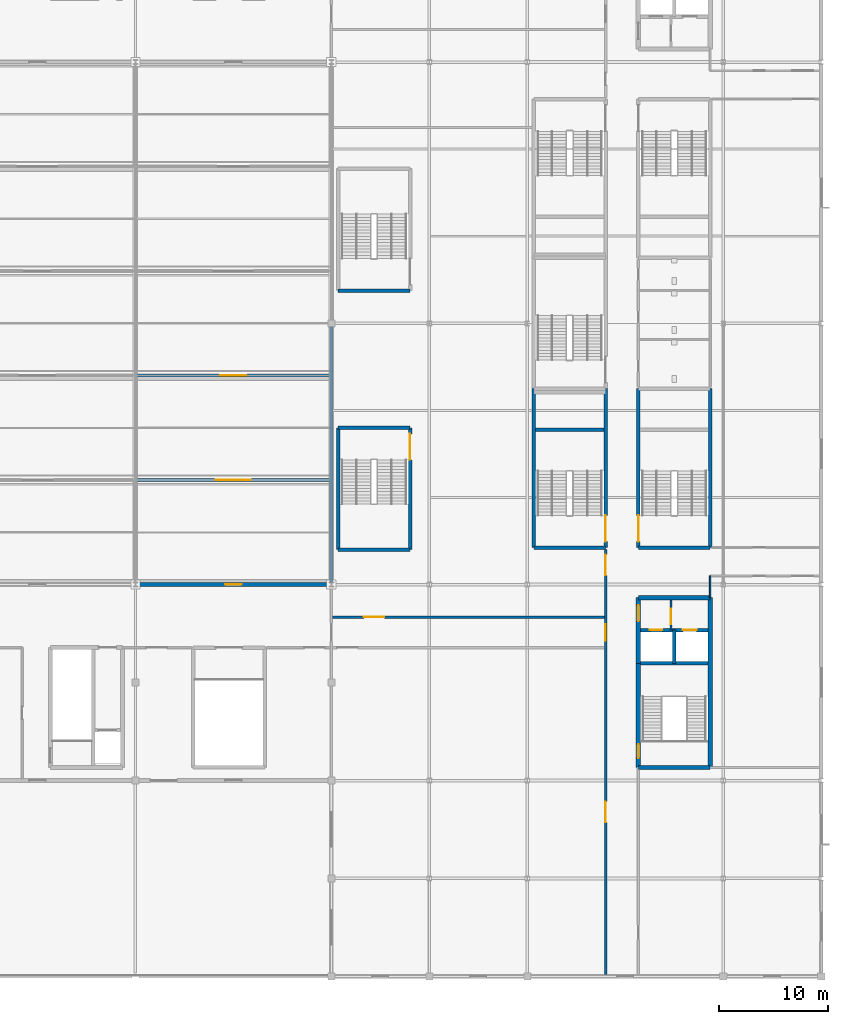
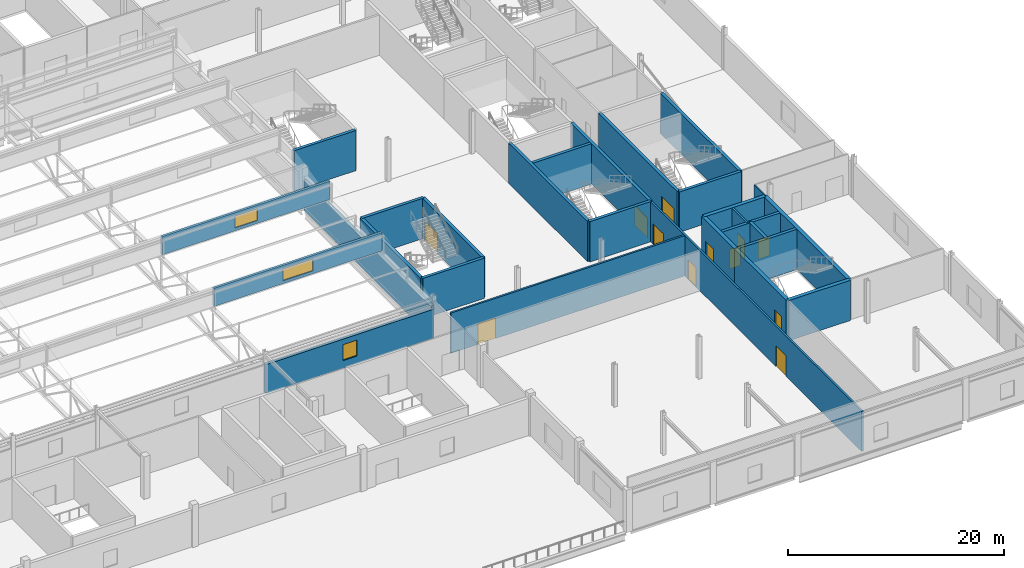
# One storey, part 104 of 136: 29 walls, 12 doors, 3 windows, 15 openings.
"""IFC4 building model written with IfcOpenShell, lengths in metres."""

from ifc_helpers import new_model, si_unit, direction, frame, frame_2d, origin, place, context, subcontext, project, spatial, rectangle, extrude, material, layer, layer_set, type_object, element, fill, save


model = new_model("IFC4")

# Units and contexts
model_context = context("Model", 3, precision=1e-05, world=origin(), true_north=direction((0.0, 1.0)))
body_context = subcontext(model_context, "Body", "Model", "MODEL_VIEW")
ifc_project = project(units=[si_unit("LENGTHUNIT", "METRE"), si_unit("AREAUNIT", "SQUARE_METRE"), si_unit("VOLUMEUNIT", "CUBIC_METRE"), si_unit("PLANEANGLEUNIT", "RADIAN"), si_unit("MASSUNIT", "GRAM", prefix="KILO")], contexts=[model_context])

# Site, building, storey
site_placement = place(None, origin())
site = spatial("IfcSite", under=ifc_project, at=site_placement, CompositionType="ELEMENT")
building_placement = place(site_placement, origin())
building = spatial("IfcBuilding", under=site, at=building_placement, Name="Kisiwana Market Hall", CompositionType="ELEMENT")
storey_placement = place(building_placement, frame((0.0, 0.0, 16.800048828125)))
storey = spatial("IfcBuildingStorey", under=building, at=storey_placement, Name="L03", CompositionType="ELEMENT", Elevation=16.800048828125)

# Wall, opening, door
ifc_material_1 = material(Name="Masonry blockwork", Category="masonry")
ifc_layer_1 = layer(ifc_material_1, 0.199951171875, Name="Plastered fire compartment block wall")
ifc_layer_set_1 = layer_set([ifc_layer_1], Name="WL-COMP-200")
wall_type_1 = type_object("IfcWallType", Name="WL-COMP-200", PredefinedType="PARTITIONING", material=ifc_layer_set_1)
wall_1_placement = place(storey_placement, frame((184.199951171875, 31.820068359375, 0.0), z_axis=(0.0, 0.0, 1.0), x_axis=(0.0, 1.0, 0.0)))
wall_1 = element("IfcWall", 1, at=wall_1_placement, inside=storey, type_object=wall_type_1, Name="Core E2 firefighting lobby wall W-1440", PredefinedType="PARTITIONING", context=body_context, shape_type="SweptSolid", body=[
    extrude(rectangle(XDim=2.780029296875, YDim=0.199951171875, at=frame_2d((1.39013671875, 0.0))), origin(), (0.0, 0.0, 1.0), 4.554931640625),
])
opening_1_placement = place(wall_1_placement, frame((0.550048828125, 0.0, 0.0)))
opening_1 = element("IfcOpeningElement", 2, at=opening_1_placement, cuts=wall_1, Name="Opening DR-L03-009", PredefinedType="OPENING", context=body_context, shape_type="SweptSolid", body=[
    extrude(rectangle(XDim=1.39990234375, YDim=2.25, at=frame_2d((0.699951171875, 1.125))), frame((0.0, 0.11181640625, 0.0), z_axis=(0.0, -1.0, 0.0), x_axis=(1.0, 0.0, 0.0)), (0.0, 0.0, 1.0), 0.223876953125),
])
ifc_material_2 = material(Name="Steel S275", Category="steel")
door_type_1 = type_object("IfcDoorType", Name="DR-FFLOB-FD120-1400", OperationType="DOUBLE_DOOR_SINGLE_SWING", PredefinedType="DOOR", material=ifc_material_2)
door_1_placement = place(opening_1_placement, origin())
door_1 = element("IfcDoor", 3, at=door_1_placement, inside=storey, type_object=door_type_1, Name="Firefighting Lift Lobby E2 Door (L03)", OperationType="DOUBLE_DOOR_SINGLE_SWING", OverallHeight=2.25, OverallWidth=1.39990234375, PredefinedType="DOOR", context=body_context, shape_type="SweptSolid", body=[
    extrude(rectangle(XDim=1.39990234375, YDim=2.25, at=frame_2d((0.699951171875, 1.125))), frame((0.0, 0.02490234375, 0.0), z_axis=(0.0, -1.0, 0.0), x_axis=(1.0, 0.0, 0.0)), (0.0, 0.0, 1.0), 0.050048828125),
])
fill(opening_1, door_1)

wall_2_placement = place(storey_placement, frame((153.0849609375, 33.0, 0.0), z_axis=(0.0, 0.0, 1.0), x_axis=(1.0, 0.0, 0.0)))
wall_2 = element("IfcWall", 4, at=wall_2_placement, inside=storey, type_object=wall_type_1, Name="Interior partition W-1482", PredefinedType="PARTITIONING", context=body_context, shape_type="SweptSolid", body=[
    extrude(rectangle(XDim=25.01513671875, YDim=0.199951171875, at=frame_2d((12.507568359375, 0.0))), origin(), (0.0, 0.0, 1.0), 4.554931640625),
])
opening_2_placement = place(wall_2_placement, frame((2.89501953125, 0.0, 0.0)))
opening_2 = element("IfcOpeningElement", 5, at=opening_2_placement, cuts=wall_2, Name="Opening DR-L03-076", PredefinedType="OPENING", context=body_context, shape_type="SweptSolid", body=[
    extrude(rectangle(XDim=1.89990234375, YDim=2.35009765625, at=frame_2d((0.949951171875, 1.175048828125))), frame((0.0, 0.11181640625, 0.0), z_axis=(0.0, -1.0, 0.0), x_axis=(1.0, 0.0, 0.0)), (0.0, 0.0, 1.0), 0.223876953125),
])
ifc_material_3 = material(Name="Steel S275", Category="steel")
door_type_2 = type_object("IfcDoorType", Name="DR-HALL-1900", OperationType="DOUBLE_DOOR_SINGLE_SWING", PredefinedType="DOOR", material=ifc_material_3)
door_2_placement = place(opening_2_placement, origin())
door_2 = element("IfcDoor", 6, at=door_2_placement, inside=storey, type_object=door_type_2, Name="L03 E Civic Exhibition Hall Exit Door", OperationType="DOUBLE_DOOR_SINGLE_SWING", OverallHeight=2.35009765625, OverallWidth=1.89990234375, PredefinedType="DOOR", context=body_context, shape_type="SweptSolid", body=[
    extrude(rectangle(XDim=1.89990234375, YDim=2.35009765625, at=frame_2d((0.949951171875, 1.175048828125))), frame((0.0, 0.02490234375, 0.0), z_axis=(0.0, -1.0, 0.0), x_axis=(1.0, 0.0, 0.0)), (0.0, 0.0, 1.0), 0.050048828125),
])
fill(opening_2, door_2)

# Wall, openings, doors
wall_3_placement = place(storey_placement, frame((178.199951171875, 0.169921875, 0.0), z_axis=(0.0, 0.0, 1.0), x_axis=(0.0, 1.0, 0.0)))
wall_3 = element("IfcWall", 7, at=wall_3_placement, inside=storey, type_object=wall_type_1, Name="Interior partition W-1486", PredefinedType="PARTITIONING", context=body_context, shape_type="SweptSolid", body=[
    extrude(rectangle(XDim=39.070068359375, YDim=0.199951171875, at=frame_2d((19.53515625, 0.0))), origin(), (0.0, 0.0, 1.0), 4.554931640625),
])
opening_3_placement = place(wall_3_placement, frame((13.97998046875, 0.0, 0.0)))
opening_3 = element("IfcOpeningElement", 8, at=opening_3_placement, cuts=wall_3, Name="Opening DR-L03-077", PredefinedType="OPENING", context=body_context, shape_type="SweptSolid", body=[
    extrude(rectangle(XDim=1.89990234375, YDim=2.35009765625, at=frame_2d((0.949951171875, 1.175048828125))), frame((0.0, 0.11181640625, 0.0), z_axis=(0.0, -1.0, 0.0), x_axis=(1.0, 0.0, 0.0)), (0.0, 0.0, 1.0), 0.223876953125),
])
opening_4_placement = place(wall_3_placement, frame((30.679931640625, 0.0, 0.0)))
opening_4 = element("IfcOpeningElement", 9, at=opening_4_placement, cuts=wall_3, Name="Opening DR-L03-078", PredefinedType="OPENING", context=body_context, shape_type="SweptSolid", body=[
    extrude(rectangle(XDim=1.5, YDim=2.199951171875, at=frame_2d((0.75, 1.10009765625))), frame((0.0, 0.11181640625, 0.0), z_axis=(0.0, -1.0, 0.0), x_axis=(1.0, 0.0, 0.0)), (0.0, 0.0, 1.0), 0.223876953125),
])
opening_5_placement = place(wall_3_placement, frame((36.679931640625, 0.0, 0.0)))
opening_5 = element("IfcOpeningElement", 10, at=opening_5_placement, cuts=wall_3, Name="Opening DR-L03-079", PredefinedType="OPENING", context=body_context, shape_type="SweptSolid", body=[
    extrude(rectangle(XDim=1.89990234375, YDim=2.35009765625, at=frame_2d((0.949951171875, 1.175048828125))), frame((0.0, 0.11181640625, 0.0), z_axis=(0.0, -1.0, 0.0), x_axis=(1.0, 0.0, 0.0)), (0.0, 0.0, 1.0), 0.223876953125),
])
ifc_material_4 = material(Name="Steel S275", Category="steel")
door_type_3 = type_object("IfcDoorType", Name="DR-CORR-FD60-1500", OperationType="DOUBLE_DOOR_SINGLE_SWING", PredefinedType="DOOR", material=ifc_material_4)
door_3_placement = place(opening_4_placement, origin())
door_3 = element("IfcDoor", 11, at=door_3_placement, inside=storey, type_object=door_type_3, Name="L03 E South Podium Link Corridor Door", OperationType="DOUBLE_DOOR_SINGLE_SWING", OverallHeight=2.199951171875, OverallWidth=1.5, PredefinedType="DOOR", context=body_context, shape_type="SweptSolid", body=[
    extrude(rectangle(XDim=1.5, YDim=2.199951171875, at=frame_2d((0.75, 1.10009765625))), frame((0.0, 0.02490234375, 0.0), z_axis=(0.0, -1.0, 0.0), x_axis=(1.0, 0.0, 0.0)), (0.0, 0.0, 1.0), 0.050048828125),
])
fill(opening_4, door_3)
door_4_placement = place(opening_3_placement, origin())
door_4 = element("IfcDoor", 12, at=door_4_placement, inside=storey, type_object=door_type_2, Name="L03 E Exhibition Reception Gallery Door", OperationType="DOUBLE_DOOR_SINGLE_SWING", OverallHeight=2.35009765625, OverallWidth=1.89990234375, PredefinedType="DOOR", context=body_context, shape_type="SweptSolid", body=[
    extrude(rectangle(XDim=1.89990234375, YDim=2.35009765625, at=frame_2d((0.949951171875, 1.175048828125))), frame((0.0, 0.02490234375, 0.0), z_axis=(0.0, -1.0, 0.0), x_axis=(1.0, 0.0, 0.0)), (0.0, 0.0, 1.0), 0.050048828125),
])
fill(opening_3, door_4)
door_5_placement = place(opening_5_placement, origin())
door_5 = element("IfcDoor", 13, at=door_5_placement, inside=storey, type_object=door_type_2, Name="L03 E Civic Exhibition Hall Exit Door", OperationType="DOUBLE_DOOR_SINGLE_SWING", OverallHeight=2.35009765625, OverallWidth=1.89990234375, PredefinedType="DOOR", context=body_context, shape_type="SweptSolid", body=[
    extrude(rectangle(XDim=1.89990234375, YDim=2.35009765625, at=frame_2d((0.949951171875, 1.175048828125))), frame((0.0, 0.02490234375, 0.0), z_axis=(0.0, -1.0, 0.0), x_axis=(1.0, 0.0, 0.0)), (0.0, 0.0, 1.0), 0.050048828125),
])
fill(opening_5, door_5)

# Walls
ifc_material_5 = material(Name="Concrete C40/50", Category="concrete")
ifc_layer_2 = layer(ifc_material_5, 0.320068359375, Name="Reinforced concrete shaft wall")
ifc_layer_set_2 = layer_set([ifc_layer_2], Name="WL-CORE-320")
wall_type_2 = type_object("IfcWallType", Name="WL-CORE-320", PredefinedType="SHEAR", material=ifc_layer_set_2)
wall_4_placement = place(storey_placement, frame((181.39990234375, 28.760009765625, 0.0), z_axis=(0.0, 0.0, 1.0), x_axis=(1.0, 0.0, 0.0)))
element("IfcWall", 14, at=wall_4_placement, inside=storey, type_object=wall_type_2, Name="Core E2 shaft back shear wall W-1207", PredefinedType="SHEAR", context=body_context, shape_type="SweptSolid", body=[
    extrude(rectangle(XDim=6.2001953125, YDim=0.320068359375, at=frame_2d((3.10009765625, 0.0))), origin(), (0.0, 0.0, 1.0), 4.554931640625),
])
wall_5_placement = place(storey_placement, frame((184.5, 28.760009765625, 0.0), z_axis=(0.0, 0.0, 1.0), x_axis=(0.0, 1.0, 0.0)))
element("IfcWall", 15, at=wall_5_placement, inside=storey, type_object=wall_type_2, Name="Core E2 inter-shaft shear wall W-1208", PredefinedType="SHEAR", context=body_context, shape_type="SweptSolid", body=[
    extrude(rectangle(XDim=3.06005859375, YDim=0.320068359375, at=frame_2d((1.530029296875, 0.0))), origin(), (0.0, 0.0, 1.0), 4.554931640625),
])

# Wall, opening, door
wall_6_placement = place(storey_placement, frame((181.39990234375, 31.820068359375, 0.0), z_axis=(0.0, 0.0, 1.0), x_axis=(1.0, 0.0, 0.0)))
wall_6 = element("IfcWall", 16, at=wall_6_placement, inside=storey, type_object=wall_type_2, Name="Core E2 west lift front wall W-1209", PredefinedType="SHEAR", context=body_context, shape_type="SweptSolid", body=[
    extrude(rectangle(XDim=3.10009765625, YDim=0.320068359375, at=frame_2d((1.550048828125, 0.0))), origin(), (0.0, 0.0, 1.0), 4.554931640625),
])
opening_6_placement = place(wall_6_placement, frame((0.85009765625, 0.0, 0.0)))
opening_6 = element("IfcOpeningElement", 17, at=opening_6_placement, cuts=wall_6, Name="Opening LD-L03-005", PredefinedType="OPENING", context=body_context, shape_type="SweptSolid", body=[
    extrude(rectangle(XDim=1.14990234375, YDim=2.199951171875, at=frame_2d((0.574951171875, 1.10009765625))), frame((0.0, 0.171875, 0.0), z_axis=(0.0, -1.0, 0.0), x_axis=(1.0, 0.0, 0.0)), (0.0, 0.0, 1.0), 0.343994140625),
])
ifc_material_6 = material(Name="Steel S275", Category="steel")
door_type_4 = type_object("IfcDoorType", Name="DR-LIFT-PAX-1150", OperationType="DOUBLE_DOOR_SLIDING", PredefinedType="DOOR", material=ifc_material_6)
door_6_placement = place(opening_6_placement, origin())
door_6 = element("IfcDoor", 18, at=door_6_placement, inside=storey, type_object=door_type_4, Name="Lift Landing Door LP-03 (L03)", OperationType="DOUBLE_DOOR_SLIDING", OverallHeight=2.199951171875, OverallWidth=1.14990234375, PredefinedType="DOOR", context=body_context, shape_type="SweptSolid", body=[
    extrude(rectangle(XDim=1.14990234375, YDim=2.199951171875, at=frame_2d((0.574951171875, 1.10009765625))), frame((0.0, 0.02490234375, 0.0), z_axis=(0.0, -1.0, 0.0), x_axis=(1.0, 0.0, 0.0)), (0.0, 0.0, 1.0), 0.050048828125),
])
fill(opening_6, door_6)

wall_7_placement = place(storey_placement, frame((184.5, 31.820068359375, 0.0), z_axis=(0.0, 0.0, 1.0), x_axis=(1.0, 0.0, 0.0)))
wall_7 = element("IfcWall", 19, at=wall_7_placement, inside=storey, type_object=wall_type_2, Name="Core E2 east lift front wall W-1210", PredefinedType="SHEAR", context=body_context, shape_type="SweptSolid", body=[
    extrude(rectangle(XDim=3.10009765625, YDim=0.320068359375, at=frame_2d((1.550048828125, 0.0))), origin(), (0.0, 0.0, 1.0), 4.554931640625),
])
opening_7_placement = place(wall_7_placement, frame((0.800048828125, 0.0, 0.0)))
opening_7 = element("IfcOpeningElement", 20, at=opening_7_placement, cuts=wall_7, Name="Opening LD-L03-006", PredefinedType="OPENING", context=body_context, shape_type="SweptSolid", body=[
    extrude(rectangle(XDim=1.25, YDim=2.25, at=frame_2d((0.625, 1.125))), frame((0.0, 0.171875, 0.0), z_axis=(0.0, -1.0, 0.0), x_axis=(1.0, 0.0, 0.0)), (0.0, 0.0, 1.0), 0.343994140625),
])
ifc_material_7 = material(Name="Steel S275", Category="steel")
door_type_5 = type_object("IfcDoorType", Name="DR-LIFT-FFL-1250", OperationType="DOUBLE_DOOR_SLIDING", PredefinedType="DOOR", material=ifc_material_7)
door_7_placement = place(opening_7_placement, origin())
door_7 = element("IfcDoor", 21, at=door_7_placement, inside=storey, type_object=door_type_5, Name="Lift Landing Door FFL-03 (L03)", OperationType="DOUBLE_DOOR_SLIDING", OverallHeight=2.25, OverallWidth=1.25, PredefinedType="DOOR", context=body_context, shape_type="SweptSolid", body=[
    extrude(rectangle(XDim=1.25, YDim=2.25, at=frame_2d((0.625, 1.125))), frame((0.0, 0.02490234375, 0.0), z_axis=(0.0, -1.0, 0.0), x_axis=(1.0, 0.0, 0.0)), (0.0, 0.0, 1.0), 0.050048828125),
])
fill(opening_7, door_7)

# Wall
wall_8_placement = place(storey_placement, frame((181.199951171875, 39.39990234375, 0.0), z_axis=(0.0, 0.0, 1.0), x_axis=(1.0, 0.0, 0.0)))
element("IfcWall", 22, at=wall_8_placement, inside=storey, type_object=wall_type_2, Name="Core E3 south shear wall W-1252", PredefinedType="SHEAR", context=body_context, shape_type="SweptSolid", body=[
    extrude(rectangle(XDim=6.60009765625, YDim=0.320068359375, at=frame_2d((3.300048828125, 0.0))), origin(), (0.0, 0.0, 1.0), 4.554931640625),
])

# Wall, opening, door
wall_9_placement = place(storey_placement, frame((181.199951171875, 39.39990234375, 0.0), z_axis=(0.0, 0.0, 1.0), x_axis=(0.0, 1.0, 0.0)))
wall_9 = element("IfcWall", 23, at=wall_9_placement, inside=storey, type_object=wall_type_2, Name="Core E3 corridor shear wall W-1254", PredefinedType="SHEAR", context=body_context, shape_type="SweptSolid", body=[
    extrude(rectangle(XDim=14.60009765625, YDim=0.320068359375, at=frame_2d((7.300048828125, 0.0))), origin(), (0.0, 0.0, 1.0), 4.554931640625),
])
opening_8_placement = place(wall_9_placement, frame((0.550048828125, 0.0, 0.0)))
opening_8 = element("IfcOpeningElement", 24, at=opening_8_placement, cuts=wall_9, Name="Opening DR-L03-021", PredefinedType="OPENING", context=body_context, shape_type="SweptSolid", body=[
    extrude(rectangle(XDim=2.39990234375, YDim=2.25, at=frame_2d((1.199951171875, 1.125))), frame((0.0, 0.171875, 0.0), z_axis=(0.0, -1.0, 0.0), x_axis=(1.0, 0.0, 0.0)), (0.0, 0.0, 1.0), 0.343994140625),
])
ifc_material_8 = material(Name="Steel S275", Category="steel")
door_type_6 = type_object("IfcDoorType", Name="DR-STAIR-FD120-2400", OperationType="DOUBLE_DOOR_SINGLE_SWING", PredefinedType="DOOR", material=ifc_material_8)
door_8_placement = place(opening_8_placement, frame((2.39990234375, 0.0, 0.0), z_axis=(0.0, 0.0, 1.0), x_axis=(-1.0, 0.0, 0.0)))
door_8 = element("IfcDoor", 25, at=door_8_placement, inside=storey, type_object=door_type_6, Name="Escape Stair E3 Fire Door (L03)", OperationType="DOUBLE_DOOR_SINGLE_SWING", OverallHeight=2.25, OverallWidth=2.39990234375, PredefinedType="DOOR", context=body_context, shape_type="SweptSolid", body=[
    extrude(rectangle(XDim=2.39990234375, YDim=2.25, at=frame_2d((1.199951171875, 1.125))), frame((0.0, 0.02490234375, 0.0), z_axis=(0.0, -1.0, 0.0), x_axis=(1.0, 0.0, 0.0)), (0.0, 0.0, 1.0), 0.050048828125),
])
fill(opening_8, door_8)

# Walls
wall_10_placement = place(storey_placement, frame((187.800048828125, 39.39990234375, 0.0), z_axis=(0.0, 0.0, 1.0), x_axis=(0.0, 1.0, 0.0)))
element("IfcWall", 26, at=wall_10_placement, inside=storey, type_object=wall_type_2, Name="Core E3 outer shear wall W-1255", PredefinedType="SHEAR", context=body_context, shape_type="SweptSolid", body=[
    extrude(rectangle(XDim=14.60009765625, YDim=0.320068359375, at=frame_2d((7.300048828125, 0.0))), origin(), (0.0, 0.0, 1.0), 4.554931640625),
])
wall_11_placement = place(storey_placement, frame((171.60009765625, 39.39990234375, 0.0), z_axis=(0.0, 0.0, 1.0), x_axis=(1.0, 0.0, 0.0)))
element("IfcWall", 27, at=wall_11_placement, inside=storey, type_object=wall_type_2, Name="Core E7 south shear wall W-1267", PredefinedType="SHEAR", context=body_context, shape_type="SweptSolid", body=[
    extrude(rectangle(XDim=6.599853515625, YDim=0.320068359375, at=frame_2d((3.2998046875, 0.0))), origin(), (0.0, 0.0, 1.0), 4.554931640625),
])
wall_12_placement = place(storey_placement, frame((171.60009765625, 39.39990234375, 0.0), z_axis=(0.0, 0.0, 1.0), x_axis=(0.0, 1.0, 0.0)))
element("IfcWall", 28, at=wall_12_placement, inside=storey, type_object=wall_type_2, Name="Core E7 outer shear wall W-1269", PredefinedType="SHEAR", context=body_context, shape_type="SweptSolid", body=[
    extrude(rectangle(XDim=14.60009765625, YDim=0.320068359375, at=frame_2d((7.300048828125, 0.0))), origin(), (0.0, 0.0, 1.0), 4.554931640625),
])

# Wall, opening, door
wall_13_placement = place(storey_placement, frame((178.199951171875, 39.39990234375, 0.0), z_axis=(0.0, 0.0, 1.0), x_axis=(0.0, 1.0, 0.0)))
wall_13 = element("IfcWall", 29, at=wall_13_placement, inside=storey, type_object=wall_type_2, Name="Core E7 corridor shear wall W-1270", PredefinedType="SHEAR", context=body_context, shape_type="SweptSolid", body=[
    extrude(rectangle(XDim=14.60009765625, YDim=0.320068359375, at=frame_2d((7.300048828125, 0.0))), origin(), (0.0, 0.0, 1.0), 4.554931640625),
])
opening_9_placement = place(wall_13_placement, frame((0.550048828125, 0.0, 0.0)))
opening_9 = element("IfcOpeningElement", 30, at=opening_9_placement, cuts=wall_13, Name="Opening DR-L03-024", PredefinedType="OPENING", context=body_context, shape_type="SweptSolid", body=[
    extrude(rectangle(XDim=2.39990234375, YDim=2.25, at=frame_2d((1.199951171875, 1.125))), frame((0.0, 0.171875, 0.0), z_axis=(0.0, -1.0, 0.0), x_axis=(1.0, 0.0, 0.0)), (0.0, 0.0, 1.0), 0.343994140625),
])
door_9_placement = place(opening_9_placement, origin())
door_9 = element("IfcDoor", 31, at=door_9_placement, inside=storey, type_object=door_type_6, Name="Escape Stair E7 Fire Door (L03)", OperationType="DOUBLE_DOOR_SINGLE_SWING", OverallHeight=2.25, OverallWidth=2.39990234375, PredefinedType="DOOR", context=body_context, shape_type="SweptSolid", body=[
    extrude(rectangle(XDim=2.39990234375, YDim=2.25, at=frame_2d((1.199951171875, 1.125))), frame((0.0, 0.02490234375, 0.0), z_axis=(0.0, -1.0, 0.0), x_axis=(1.0, 0.0, 0.0)), (0.0, 0.0, 1.0), 0.050048828125),
])
fill(opening_9, door_9)

# Walls
wall_14_placement = place(storey_placement, frame((171.760009765625, 50.219970703125, 0.0), z_axis=(0.0, 0.0, 1.0), x_axis=(1.0, 0.0, 0.0)))
element("IfcWall", 32, at=wall_14_placement, inside=storey, type_object=wall_type_2, Name="Core E7 riser divider shear wall W-1271", PredefinedType="SHEAR", context=body_context, shape_type="SweptSolid", body=[
    extrude(rectangle(XDim=6.280029296875, YDim=0.320068359375, at=frame_2d((3.14013671875, 0.0))), origin(), (0.0, 0.0, 1.0), 4.554931640625),
])
for number, where, z_axis, x_axis, name in (
    (33, (153.6298828125, 39.199951171875, 0.0), (0.0, 0.0, 1.0), (1.0, 0.0, 0.0), "Core E9 south shear wall W-1286"),
    (34, (153.6298828125, 50.39990234375, 0.0), (0.0, 0.0, 1.0), (1.0, 0.0, 0.0), "Core E9 north shear wall W-1287"),
):
    element("IfcWall", number, at=place(storey_placement, frame(where, z_axis=z_axis, x_axis=x_axis)), inside=storey, type_object=wall_type_2, Name=name, PredefinedType="SHEAR", context=body_context, shape_type="SweptSolid", body=[
        extrude(rectangle(XDim=6.60009765625, YDim=0.320068359375, at=frame_2d((3.300048828125, 0.0))), origin(), (0.0, 0.0, 1.0), 4.554931640625),
    ])
wall_15_placement = place(storey_placement, frame((153.6298828125, 39.199951171875, 0.0), z_axis=(0.0, 0.0, 1.0), x_axis=(0.0, 1.0, 0.0)))
element("IfcWall", 35, at=wall_15_placement, inside=storey, type_object=wall_type_2, Name="Core E9 outer shear wall W-1288", PredefinedType="SHEAR", context=body_context, shape_type="SweptSolid", body=[
    extrude(rectangle(XDim=11.199951171875, YDim=0.320068359375, at=frame_2d((5.60009765625, 0.0))), origin(), (0.0, 0.0, 1.0), 4.554931640625),
])

# Wall, opening, door
wall_16_placement = place(storey_placement, frame((160.22998046875, 39.199951171875, 0.0), z_axis=(0.0, 0.0, 1.0), x_axis=(0.0, 1.0, 0.0)))
wall_16 = element("IfcWall", 36, at=wall_16_placement, inside=storey, type_object=wall_type_2, Name="Core E9 corridor shear wall W-1289", PredefinedType="SHEAR", context=body_context, shape_type="SweptSolid", body=[
    extrude(rectangle(XDim=11.199951171875, YDim=0.320068359375, at=frame_2d((5.60009765625, 0.0))), origin(), (0.0, 0.0, 1.0), 4.554931640625),
])
opening_10_placement = place(wall_16_placement, frame((8.25, 0.0, 0.0)))
opening_10 = element("IfcOpeningElement", 37, at=opening_10_placement, cuts=wall_16, Name="Opening DR-L03-028", PredefinedType="OPENING", context=body_context, shape_type="SweptSolid", body=[
    extrude(rectangle(XDim=2.39990234375, YDim=2.25, at=frame_2d((1.199951171875, 1.125))), frame((0.0, 0.171875, 0.0), z_axis=(0.0, -1.0, 0.0), x_axis=(1.0, 0.0, 0.0)), (0.0, 0.0, 1.0), 0.343994140625),
])
door_10_placement = place(opening_10_placement, origin())
door_10 = element("IfcDoor", 38, at=door_10_placement, inside=storey, type_object=door_type_6, Name="Escape Stair E9 Fire Door (L03)", OperationType="DOUBLE_DOOR_SINGLE_SWING", OverallHeight=2.25, OverallWidth=2.39990234375, PredefinedType="DOOR", context=body_context, shape_type="SweptSolid", body=[
    extrude(rectangle(XDim=2.39990234375, YDim=2.25, at=frame_2d((1.199951171875, 1.125))), frame((0.0, 0.02490234375, 0.0), z_axis=(0.0, -1.0, 0.0), x_axis=(1.0, 0.0, 0.0)), (0.0, 0.0, 1.0), 0.050048828125),
])
fill(opening_10, door_10)

# Walls
wall_17_placement = place(storey_placement, frame((153.6298828125, 63.0, 0.0), z_axis=(0.0, 0.0, 1.0), x_axis=(1.0, 0.0, 0.0)))
element("IfcWall", 39, at=wall_17_placement, inside=storey, type_object=wall_type_2, Name="Core E10 south shear wall W-1294", PredefinedType="SHEAR", context=body_context, shape_type="SweptSolid", body=[
    extrude(rectangle(XDim=6.60009765625, YDim=0.320068359375, at=frame_2d((3.300048828125, 0.0))), origin(), (0.0, 0.0, 1.0), 4.554931640625),
])
ifc_material_9 = material(Name="Concrete C40/50", Category="concrete")
ifc_layer_3 = layer(ifc_material_9, 0.39990234375, Name="Reinforced concrete core wall")
ifc_layer_set_3 = layer_set([ifc_layer_3], Name="WL-CORE-400")
wall_type_3 = type_object("IfcWallType", Name="WL-CORE-400", PredefinedType="SHEAR", material=ifc_layer_set_3)
for number, where, z_axis, x_axis, name in (
    (40, (181.199951171875, 19.199951171875, 0.0), (0.0, 0.0, 1.0), (1.0, 0.0, 0.0), "Core E2 south shear wall W-1202"),
    (41, (181.199951171875, 34.800048828125, 0.0), (0.0, 0.0, 1.0), (1.0, 0.0, 0.0), "Core E2 north shear wall W-1203"),
):
    element("IfcWall", number, at=place(storey_placement, frame(where, z_axis=z_axis, x_axis=x_axis)), inside=storey, type_object=wall_type_3, Name=name, PredefinedType="SHEAR", context=body_context, shape_type="SweptSolid", body=[
        extrude(rectangle(XDim=6.60009765625, YDim=0.39990234375, at=frame_2d((3.300048828125, 0.0))), origin(), (0.0, 0.0, 1.0), 4.554931640625),
    ])
wall_18_placement = place(storey_placement, frame((187.800048828125, 19.199951171875, 0.0), z_axis=(0.0, 0.0, 1.0), x_axis=(0.0, 1.0, 0.0)))
element("IfcWall", 42, at=wall_18_placement, inside=storey, type_object=wall_type_3, Name="Core E2 outer shear wall W-1204", PredefinedType="SHEAR", context=body_context, shape_type="SweptSolid", body=[
    extrude(rectangle(XDim=15.60009765625, YDim=0.39990234375, at=frame_2d((7.800048828125, 0.0))), origin(), (0.0, 0.0, 1.0), 4.554931640625),
])

# Wall, opening, door
wall_19_placement = place(storey_placement, frame((181.199951171875, 19.199951171875, 0.0), z_axis=(0.0, 0.0, 1.0), x_axis=(0.0, 1.0, 0.0)))
wall_19 = element("IfcWall", 43, at=wall_19_placement, inside=storey, type_object=wall_type_3, Name="Core E2 stair corridor shear wall W-1205", PredefinedType="SHEAR", context=body_context, shape_type="SweptSolid", body=[
    extrude(rectangle(XDim=9.56005859375, YDim=0.39990234375, at=frame_2d((4.780029296875, 0.0))), origin(), (0.0, 0.0, 1.0), 4.554931640625),
])
opening_11_placement = place(wall_19_placement, frame((0.85009765625, 0.0, 0.0)))
opening_11 = element("IfcOpeningElement", 44, at=opening_11_placement, cuts=wall_19, Name="Opening DR-L03-007", PredefinedType="OPENING", context=body_context, shape_type="SweptSolid", body=[
    extrude(rectangle(XDim=1.300048828125, YDim=2.199951171875, at=frame_2d((0.64990234375, 1.10009765625))), frame((0.0, 0.2119140625, 0.0), z_axis=(0.0, -1.0, 0.0), x_axis=(1.0, 0.0, 0.0)), (0.0, 0.0, 1.0), 0.423828125),
])
ifc_material_10 = material(Name="Steel S275", Category="steel")
door_type_7 = type_object("IfcDoorType", Name="DR-STAIR-FD120-1300", OperationType="NOTDEFINED", PredefinedType="DOOR", material=ifc_material_10)
door_11_placement = place(opening_11_placement, frame((1.300048828125, 0.0, 0.0), z_axis=(0.0, 0.0, 1.0), x_axis=(-1.0, 0.0, 0.0)))
door_11 = element("IfcDoor", 45, at=door_11_placement, inside=storey, type_object=door_type_7, Name="Escape Stair E2 Fire Door (L03)", OperationType="SINGLE_SWING_RIGHT", OverallHeight=2.199951171875, OverallWidth=1.300048828125, PredefinedType="DOOR", context=body_context, shape_type="SweptSolid", body=[
    extrude(rectangle(XDim=1.300048828125, YDim=2.199951171875, at=frame_2d((0.64990234375, 1.10009765625))), frame((0.0, 0.02490234375, 0.0), z_axis=(0.0, -1.0, 0.0), x_axis=(1.0, 0.0, 0.0)), (0.0, 0.0, 1.0), 0.050048828125),
])
fill(opening_11, door_11)

wall_20_placement = place(storey_placement, frame((181.199951171875, 28.760009765625, 0.0), z_axis=(0.0, 0.0, 1.0), x_axis=(0.0, 1.0, 0.0)))
wall_20 = element("IfcWall", 46, at=wall_20_placement, inside=storey, type_object=wall_type_3, Name="Core E2 lobby corridor shear wall W-1206", PredefinedType="SHEAR", context=body_context, shape_type="SweptSolid", body=[
    extrude(rectangle(XDim=6.0400390625, YDim=0.39990234375, at=frame_2d((3.02001953125, 0.0))), origin(), (0.0, 0.0, 1.0), 4.554931640625),
])
opening_12_placement = place(wall_20_placement, frame((3.85009765625, 0.0, 0.0)))
opening_12 = element("IfcOpeningElement", 47, at=opening_12_placement, cuts=wall_20, Name="Opening DR-L03-008", PredefinedType="OPENING", context=body_context, shape_type="SweptSolid", body=[
    extrude(rectangle(XDim=1.5, YDim=2.199951171875, at=frame_2d((0.75, 1.10009765625))), frame((0.0, 0.2119140625, 0.0), z_axis=(0.0, -1.0, 0.0), x_axis=(1.0, 0.0, 0.0)), (0.0, 0.0, 1.0), 0.423828125),
])
door_12_placement = place(opening_12_placement, origin())
door_12 = element("IfcDoor", 48, at=door_12_placement, inside=storey, type_object=door_type_3, Name="Passenger Lift Lobby E2 Smoke Door (L03)", OperationType="DOUBLE_DOOR_SINGLE_SWING", OverallHeight=2.199951171875, OverallWidth=1.5, PredefinedType="DOOR", context=body_context, shape_type="SweptSolid", body=[
    extrude(rectangle(XDim=1.5, YDim=2.199951171875, at=frame_2d((0.75, 1.10009765625))), frame((0.0, 0.02490234375, 0.0), z_axis=(0.0, -1.0, 0.0), x_axis=(1.0, 0.0, 0.0)), (0.0, 0.0, 1.0), 0.050048828125),
])
fill(opening_12, door_12)

# Wall, opening, window
ifc_material_11 = material(Name="Aluminium alloy 6063-T6", Category="aluminium")
ifc_layer_4 = layer(ifc_material_11, 0.06005859375, Name="Insulated metal-clad clerestory wall")
ifc_material_12 = material(Name="Mineral wool insulation")
ifc_layer_5 = layer(ifc_material_12, 0.10009765625, Name="Mineral wool core")
ifc_material_13 = material(Name="Masonry blockwork", Category="masonry")
ifc_layer_6 = layer(ifc_material_13, 0.10009765625, Name="Masonry backing")
ifc_layer_set_4 = layer_set([ifc_layer_4, ifc_layer_5, ifc_layer_6], Name="WL-EXT-CLER-260")
wall_type_4 = type_object("IfcWallType", Name="WL-EXT-CLER-260", PredefinedType="STANDARD", material=ifc_layer_set_4)
wall_21_placement = place(storey_placement, frame((135.0, 45.60009765625, 4.0048828125), z_axis=(0.0, 0.0, 1.0), x_axis=(1.0, 0.0, 0.0)))
wall_21 = element("IfcWall", 49, at=wall_21_placement, inside=storey, type_object=wall_type_4, Name="Sawtooth clerestory wall W-1416", PredefinedType="STANDARD", context=body_context, shape_type="SweptSolid", body=[
    extrude(rectangle(XDim=17.989990234375, YDim=0.260009765625, at=frame_2d((8.9951171875, 0.0))), origin(), (0.0, 0.0, 1.0), 2.049072265625),
])
opening_13_placement = place(wall_21_placement, frame((7.39501953125, 0.0, 0.320068359375)))
opening_13 = element("IfcOpeningElement", 50, at=opening_13_placement, cuts=wall_21, Name="Opening W-41", PredefinedType="OPENING", context=body_context, shape_type="SweptSolid", body=[
    extrude(rectangle(XDim=3.199951171875, YDim=1.35009765625, at=frame_2d((1.60009765625, 0.675048828125))), frame((0.0, 0.14208984375, 0.0), z_axis=(0.0, -1.0, 0.0), x_axis=(1.0, 0.0, 0.0)), (0.0, 0.0, 1.0), 0.283935546875),
])
ifc_material_14 = material(Name="Double-glazed solar-control low-E IGU", Category="glass")
window_type_1 = type_object("IfcWindowType", Name="WN-CLER-3200x1400", PartitioningType="SINGLE_PANEL", PredefinedType="SKYLIGHT", material=ifc_material_14)
window_1_placement = place(opening_13_placement, origin())
window_1 = element("IfcWindow", 51, at=window_1_placement, inside=storey, type_object=window_type_1, Name="North-light sawtooth clerestory WN-050", OverallHeight=1.35009765625, OverallWidth=3.199951171875, PartitioningType="SINGLE_PANEL", PredefinedType="SKYLIGHT", context=body_context, shape_type="SweptSolid", body=[
    extrude(rectangle(XDim=3.199951171875, YDim=1.35009765625, at=frame_2d((1.60009765625, 0.675048828125))), frame((0.0, 0.030029296875, 0.0), z_axis=(0.0, -1.0, 0.0), x_axis=(1.0, 0.0, 0.0)), (0.0, 0.0, 1.0), 0.06005859375),
])
fill(opening_13, window_1)

wall_22_placement = place(storey_placement, frame((135.0, 55.199951171875, 4.0048828125), z_axis=(0.0, 0.0, 1.0), x_axis=(1.0, 0.0, 0.0)))
wall_22 = element("IfcWall", 52, at=wall_22_placement, inside=storey, type_object=wall_type_4, Name="Sawtooth clerestory wall W-1423", PredefinedType="STANDARD", context=body_context, shape_type="SweptSolid", body=[
    extrude(rectangle(XDim=17.989990234375, YDim=0.260009765625, at=frame_2d((8.9951171875, 0.0))), origin(), (0.0, 0.0, 1.0), 2.049072265625),
])
opening_14_placement = place(wall_22_placement, frame((7.794921875, 0.0, 0.320068359375)))
opening_14 = element("IfcOpeningElement", 53, at=opening_14_placement, cuts=wall_22, Name="Opening W-42", PredefinedType="OPENING", context=body_context, shape_type="SweptSolid", body=[
    extrude(rectangle(XDim=2.39990234375, YDim=1.35009765625, at=frame_2d((1.199951171875, 0.675048828125))), frame((0.0, 0.14208984375, 0.0), z_axis=(0.0, -1.0, 0.0), x_axis=(1.0, 0.0, 0.0)), (0.0, 0.0, 1.0), 0.283935546875),
])
ifc_material_15 = material(Name="Double-glazed solar-control low-E IGU", Category="glass")
window_type_2 = type_object("IfcWindowType", Name="WN-CLER-2400x1400", PartitioningType="SINGLE_PANEL", PredefinedType="SKYLIGHT", material=ifc_material_15)
window_2_placement = place(opening_14_placement, origin())
window_2 = element("IfcWindow", 54, at=window_2_placement, inside=storey, type_object=window_type_2, Name="North-light sawtooth clerestory WN-058", OverallHeight=1.35009765625, OverallWidth=2.39990234375, PartitioningType="SINGLE_PANEL", PredefinedType="SKYLIGHT", context=body_context, shape_type="SweptSolid", body=[
    extrude(rectangle(XDim=2.39990234375, YDim=1.35009765625, at=frame_2d((1.199951171875, 0.675048828125))), frame((0.0, 0.030029296875, 0.0), z_axis=(0.0, -1.0, 0.0), x_axis=(1.0, 0.0, 0.0)), (0.0, 0.0, 1.0), 0.06005859375),
])
fill(opening_14, window_2)

ifc_material_16 = material(Name="Concrete C40/50 precast", Category="concrete")
ifc_layer_7 = layer(ifc_material_16, 0.14990234375, Name="Precast architectural concrete spandrel")
ifc_material_17 = material(Name="Mineral wool insulation")
ifc_layer_8 = layer(ifc_material_17, 0.090087890625, Name="Rockwool thermal insulation")
ifc_material_18 = material(Name="Masonry blockwork", Category="masonry")
ifc_layer_9 = layer(ifc_material_18, 0.10009765625, Name="Inner masonry block leaf")
ifc_layer_set_5 = layer_set([ifc_layer_7, ifc_layer_8, ifc_layer_9], Name="WL-EXT-PREC-340")
wall_type_5 = type_object("IfcWallType", Name="WL-EXT-PREC-340", PredefinedType="STANDARD", material=ifc_layer_set_5)
wall_23_placement = place(storey_placement, frame((135.010009765625, 36.0, 0.0), z_axis=(0.0, 0.0, 1.0), x_axis=(1.0, 0.0, 0.0)))
wall_23 = element("IfcWall", 55, at=wall_23_placement, inside=storey, type_object=wall_type_5, Name="Exterior wall W-1359", PredefinedType="STANDARD", context=body_context, shape_type="SweptSolid", body=[
    extrude(rectangle(XDim=17.97998046875, YDim=0.340087890625, at=frame_2d((8.989990234375, 0.0))), origin(), (0.0, 0.0, 1.0), 3.27685546875),
])
opening_15_placement = place(wall_23_placement, frame((8.239990234375, 0.0, 0.85009765625)))
opening_15 = element("IfcOpeningElement", 56, at=opening_15_placement, cuts=wall_23, Name="Opening WN-14", PredefinedType="OPENING", context=body_context, shape_type="SweptSolid", body=[
    extrude(rectangle(XDim=1.5, YDim=1.800048828125, at=frame_2d((0.75, 0.89990234375))), frame((0.0, 0.18212890625, 0.0), z_axis=(0.0, -1.0, 0.0), x_axis=(1.0, 0.0, 0.0)), (0.0, 0.0, 1.0), 0.364013671875),
])
ifc_material_19 = material(Name="Double-glazed solar-control low-E IGU", Category="glass")
window_type_3 = type_object("IfcWindowType", Name="WN-POD-1500x1800", PartitioningType="SINGLE_PANEL", PredefinedType="WINDOW", material=ifc_material_19)
window_3_placement = place(opening_15_placement, origin())
window_3 = element("IfcWindow", 57, at=window_3_placement, inside=storey, type_object=window_type_3, Name="Exterior window WN-090", OverallHeight=1.800048828125, OverallWidth=1.5, PartitioningType="SINGLE_PANEL", PredefinedType="WINDOW", context=body_context, shape_type="SweptSolid", body=[
    extrude(rectangle(XDim=1.5, YDim=1.800048828125, at=frame_2d((0.75, 0.89990234375))), frame((0.0, 0.030029296875, 0.0), z_axis=(0.0, -1.0, 0.0), x_axis=(1.0, 0.0, 0.0)), (0.0, 0.0, 1.0), 0.06005859375),
])
fill(opening_15, window_3)

# Walls
wall_24_placement = place(storey_placement, frame((153.0, 36.198486328125, 0.0), z_axis=(0.0, 0.0, 1.0), x_axis=(0.0, 1.0, 0.0)))
element("IfcWall", 58, at=wall_24_placement, inside=storey, type_object=wall_type_5, Name="Exterior wall W-1398", PredefinedType="STANDARD", context=body_context, shape_type="SweptSolid", body=[
    extrude(rectangle(XDim=23.484619140625, YDim=0.340087890625, at=frame_2d((11.7421875, 0.0))), origin(), (0.0, 0.0, 1.0), 3.423095703125),
])
ifc_material_20 = material(Name="Gypsum plasterboard")
ifc_layer_10 = layer(ifc_material_20, 0.125, Name="Double gypsum board + acoustic stud")
ifc_layer_set_6 = layer_set([ifc_layer_10], Name="WL-OFF-125")
wall_type_6 = type_object("IfcWallType", Name="WL-OFF-125", PredefinedType="PARTITIONING", material=ifc_layer_set_6)
wall_25_placement = place(storey_placement, frame((187.800048828125, 34.800048828125, 0.0), z_axis=(0.0, 0.0, 1.0), x_axis=(0.0, 1.0, 0.0)))
element("IfcWall", 59, at=wall_25_placement, inside=storey, type_object=wall_type_6, Name="Interior partition W-1471", PredefinedType="PARTITIONING", context=body_context, shape_type="SweptSolid", body=[
    extrude(rectangle(XDim=2.0, YDim=0.125, at=frame_2d((1.0, 0.0))), origin(), (0.0, 0.0, 1.0), 4.554931640625),
])

save(model, "model.ifc")
